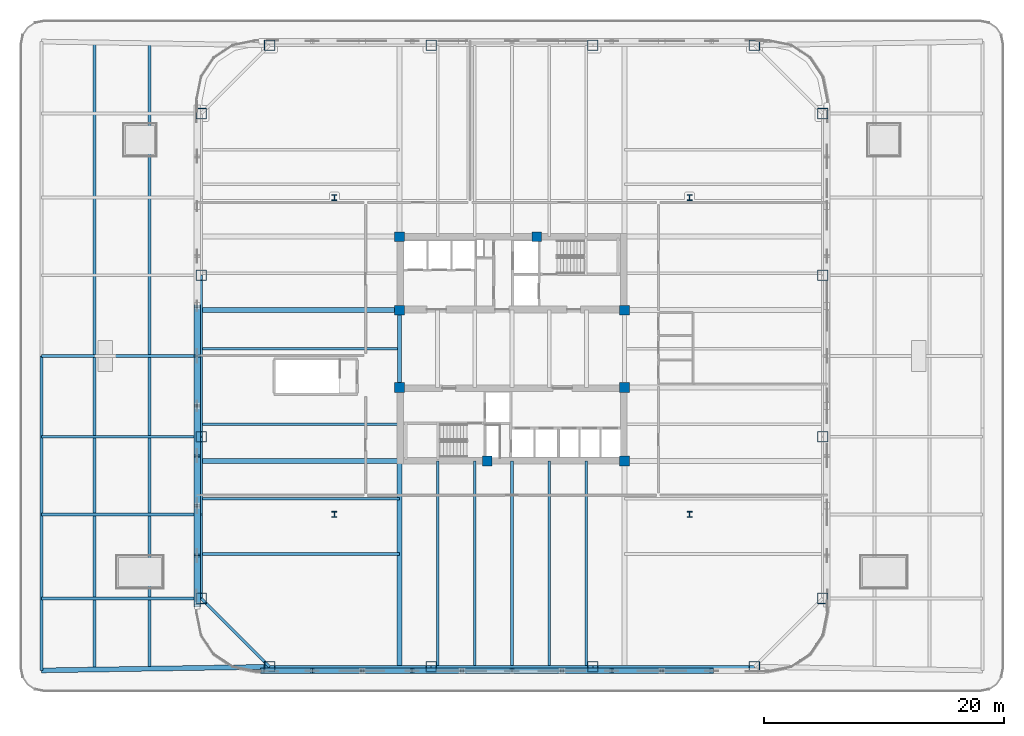
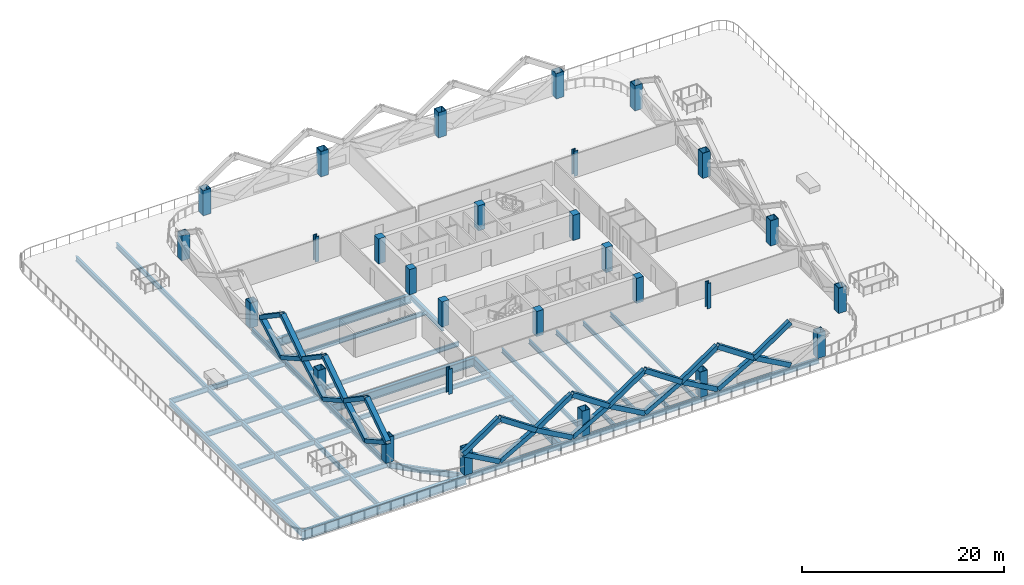
# One storey, part 1 of 17: 30 members, 28 columns, 27 beams.
"""IFC4 building model written with IfcOpenShell, lengths in metres."""

from ifc_helpers import new_model, si_unit, direction, frame, origin, origin_2d, place, context, subcontext, project, spatial, rectangle, hollow_rectangle, i_section, extrude, material, material_profile, profile_set, type_object, element, save


model = new_model("IFC4")

# Units and contexts
model_context = context("Model", 3, precision=1e-05, world=origin(), true_north=direction((0.0, 1.0)))
body_context = subcontext(model_context, "Body", "Model", "MODEL_VIEW")
ifc_project = project(units=[si_unit("LENGTHUNIT", "METRE"), si_unit("AREAUNIT", "SQUARE_METRE"), si_unit("VOLUMEUNIT", "CUBIC_METRE"), si_unit("PLANEANGLEUNIT", "RADIAN"), si_unit("MASSUNIT", "GRAM", prefix="KILO")], contexts=[model_context])

# Site, building, storey
site_placement = place(None, origin())
site = spatial("IfcSite", under=ifc_project, at=site_placement, CompositionType="ELEMENT")
building_placement = place(site_placement, origin())
building = spatial("IfcBuilding", under=site, at=building_placement, Name="Qhalaya Broadcast Tower", CompositionType="ELEMENT")
storey_placement = place(building_placement, frame((0.0, 0.0, 26.10009765625)))
storey = spatial("IfcBuildingStorey", under=building, at=storey_placement, Name="L06", CompositionType="ELEMENT", Elevation=26.10009765625)

# Columns
ifc_material_1 = material(Name="Concrete C50/60", Category="concrete")
ifc_material_profile_1 = material_profile(ifc_material_1, rectangle(XDim=0.800048828125, YDim=0.800048828125, at=origin_2d()), Name="RC-COL 800x800")
ifc_profile_set_1 = profile_set([ifc_material_profile_1], Name="Concrete C50/60")
column_type_1 = type_object("IfcColumnType", Name="RC Upper Column C10", PredefinedType="COLUMN", material=ifc_profile_set_1)
for number, where, z_axis, x_axis, name in (
    (1, (-9.375, 9.949951171875, 0.0), (0.0, 0.0, 1.0), (1.0, 0.0, 0.0), "L06 Column COL-CC1"),
    (2, (2.050048828125, 9.949951171875, 0.0), (0.0, 0.0, 1.0), (1.0, 0.0, 0.0), "L06 Column COL-CC2"),
    (3, (-9.375, 3.824951171875, 0.0), (0.0, 0.0, 1.0), (1.0, 0.0, 0.0), "L06 Column COL-CC3"),
    (4, (9.375, 3.824951171875, 0.0), (0.0, 0.0, 1.0), (1.0, 0.0, 0.0), "L06 Column COL-CC4"),
    (5, (-9.375, -2.625, 0.0), (0.0, 0.0, 1.0), (1.0, 0.0, 0.0), "L06 Column COL-CC5"),
    (6, (9.375, -2.625, 0.0), (0.0, 0.0, 1.0), (1.0, 0.0, 0.0), "L06 Column COL-CC6"),
    (7, (-2.050048828125, -8.75, 0.0), (0.0, 0.0, 1.0), (1.0, 0.0, 0.0), "L06 Column COL-CC7"),
    (8, (9.375, -8.75, 0.0), (0.0, 0.0, 1.0), (1.0, 0.0, 0.0), "L06 Column COL-CC8"),
):
    element("IfcColumn", number, at=place(storey_placement, frame(where, z_axis=z_axis, x_axis=x_axis)), inside=storey, type_object=column_type_1, Name=name, PredefinedType="COLUMN", context=body_context, shape_type="SweptSolid", body=[
        extrude(rectangle(XDim=0.800048828125, YDim=0.800048828125, at=origin_2d()), origin(), (0.0, 0.0, 1.0), 3.0498046875),
    ])
ifc_material_2 = material(Name="Structural Steel ASTM A992 Grade 50", Category="steel")
ifc_material_profile_2 = material_profile(ifc_material_2, i_section(OverallWidth=0.41796875, OverallDepth=0.510009765625, WebThickness=0.0419921875, FlangeThickness=0.067626953125, at=origin_2d()), Name="W14X370")
ifc_profile_set_2 = profile_set([ifc_material_profile_2], Name="Structural Steel ASTM A992 Grade 50")
column_type_2 = type_object("IfcColumnType", Name="Rolled Gravity Column C06", PredefinedType="COLUMN", material=ifc_profile_set_2)
for number, where, z_axis, x_axis, name in (
    (9, (-14.800048828125, -13.199951171875, 0.0), (0.0, 0.0, 1.0), (1.0, 0.0, 0.0), "L06 Column COL-GR1"),
    (10, (14.800048828125, -13.199951171875, 0.0), (0.0, 0.0, 1.0), (1.0, 0.0, 0.0), "L06 Column COL-GR2"),
    (11, (-14.800048828125, 13.199951171875, 0.0), (0.0, 0.0, 1.0), (1.0, 0.0, 0.0), "L06 Column COL-GR3"),
    (12, (14.800048828125, 13.199951171875, 0.0), (0.0, 0.0, 1.0), (1.0, 0.0, 0.0), "L06 Column COL-GR4"),
):
    element("IfcColumn", number, at=place(storey_placement, frame(where, z_axis=z_axis, x_axis=x_axis)), inside=storey, type_object=column_type_2, Name=name, PredefinedType="COLUMN", context=body_context, shape_type="SweptSolid", body=[
        extrude(i_section(OverallWidth=0.41796875, OverallDepth=0.510009765625, WebThickness=0.0419921875, FlangeThickness=0.067626953125, at=origin_2d()), origin(), (0.0, 0.0, 1.0), 3.0498046875),
    ])
ifc_material_3 = material(Name="Structural Steel ASTM A572 Grade 50", Category="steel")
ifc_material_profile_3 = material_profile(ifc_material_3, hollow_rectangle(XDim=0.89990234375, YDim=0.89990234375, WallThickness=0.054931640625, at=origin_2d()), Name="BOX 900x900x55")
ifc_profile_set_3 = profile_set([ifc_material_profile_3], Name="Structural Steel ASTM A572 Grade 50")
column_type_3 = type_object("IfcColumnType", Name="Steel Box Column C02", PredefinedType="COLUMN", material=ifc_profile_set_3)
for number, where, z_axis, x_axis, name in (
    (13, (-20.199951171875, -25.89990234375, 0.0), (0.0, 0.0, 1.0), (1.0, 0.0, 0.0), "L06 Column COL-EX01"),
    (14, (-6.7333984375, -25.89990234375, 0.0), (0.0, 0.0, 1.0), (1.0, 0.0, 0.0), "L06 Column COL-EX02"),
    (15, (6.7333984375, -25.89990234375, 0.0), (0.0, 0.0, 1.0), (1.0, 0.0, 0.0), "L06 Column COL-EX03"),
    (16, (20.199951171875, -25.89990234375, 0.0), (0.0, 0.0, 1.0), (1.0, 0.0, 0.0), "L06 Column COL-EX04"),
    (17, (25.89990234375, -20.199951171875, 0.0), (0.0, 0.0, 1.0), (0.0, 1.0, 0.0), "L06 Column COL-EX05"),
    (18, (25.89990234375, -6.7333984375, 0.0), (0.0, 0.0, 1.0), (0.0, 1.0, 0.0), "L06 Column COL-EX06"),
    (19, (25.89990234375, 6.7333984375, 0.0), (0.0, 0.0, 1.0), (0.0, 1.0, 0.0), "L06 Column COL-EX07"),
    (20, (25.89990234375, 20.199951171875, 0.0), (0.0, 0.0, 1.0), (0.0, 1.0, 0.0), "L06 Column COL-EX08"),
    (21, (20.199951171875, 25.89990234375, 0.0), (0.0, 0.0, 1.0), (1.0, 0.0, 0.0), "L06 Column COL-EX09"),
    (22, (6.7333984375, 25.89990234375, 0.0), (0.0, 0.0, 1.0), (1.0, 0.0, 0.0), "L06 Column COL-EX10"),
    (23, (-6.7333984375, 25.89990234375, 0.0), (0.0, 0.0, 1.0), (1.0, 0.0, 0.0), "L06 Column COL-EX11"),
    (24, (-20.199951171875, 25.89990234375, 0.0), (0.0, 0.0, 1.0), (1.0, 0.0, 0.0), "L06 Column COL-EX12"),
    (25, (-25.89990234375, 20.199951171875, 0.0), (0.0, 0.0, 1.0), (0.0, 1.0, 0.0), "L06 Column COL-EX13"),
    (26, (-25.89990234375, 6.7333984375, 0.0), (0.0, 0.0, 1.0), (0.0, 1.0, 0.0), "L06 Column COL-EX14"),
    (27, (-25.89990234375, -6.7333984375, 0.0), (0.0, 0.0, 1.0), (0.0, 1.0, 0.0), "L06 Column COL-EX15"),
    (28, (-25.89990234375, -20.199951171875, 0.0), (0.0, 0.0, 1.0), (0.0, 1.0, 0.0), "L06 Column COL-EX16"),
):
    element("IfcColumn", number, at=place(storey_placement, frame(where, z_axis=z_axis, x_axis=x_axis)), inside=storey, type_object=column_type_3, Name=name, PredefinedType="COLUMN", context=body_context, shape_type="SweptSolid", body=[
        extrude(hollow_rectangle(XDim=0.89990234375, YDim=0.89990234375, WallThickness=0.054931640625, at=origin_2d()), origin(), (0.0, 0.0, 1.0), 3.0498046875),
    ])

# Beams
ifc_material_profile_4 = material_profile(ifc_material_2, i_section(OverallWidth=0.22802734375, OverallDepth=0.60693359375, WebThickness=0.01123046875, FlangeThickness=0.017333984375, at=origin_2d()), Name="W24X76")
ifc_profile_set_4 = profile_set([ifc_material_profile_4], Name="Structural Steel ASTM A992 Grade 50")
beam_type_1 = type_object("IfcBeamType", Name="Composite Floor Joist J01", PredefinedType="JOIST", material=ifc_profile_set_4)
for number, where, z_axis, x_axis, name in (
    (29, (-39.199951171875, -20.199951171875, -0.523681640625), (1.0, 0.0, 0.0), (0.0, 1.0, 0.0), "L06 J01 L06-PRGW--20.2"),
    (30, (-39.199951171875, -13.199951171875, -0.523681640625), (1.0, 0.0, 0.0), (0.0, 1.0, 0.0), "L06 J01 L06-PRGW--13.2"),
    (31, (-39.199951171875, -6.7333984375, -0.523681640625), (1.0, 0.0, 0.0), (0.0, 1.0, 0.0), "L06 J01 L06-PRGW--6.7"),
    (32, (-39.199951171875, 0.0, -0.523681640625), (1.0, 0.0, 0.0), (0.0, 1.0, 0.0), "L06 J01 L06-PRGW-+0.0"),
):
    element("IfcBeam", number, at=place(storey_placement, frame(where, z_axis=z_axis, x_axis=x_axis)), inside=storey, type_object=beam_type_1, Name=name, PredefinedType="JOIST", context=body_context, shape_type="SweptSolid", body=[
        extrude(i_section(OverallWidth=0.22802734375, OverallDepth=0.60693359375, WebThickness=0.01123046875, FlangeThickness=0.017333984375, at=origin_2d()), origin(), (0.0, 0.0, 1.0), 13.300048828125),
    ])
for number, where, z_axis, x_axis, name in (
    (33, (-34.800048828125, -26.10009765625, -0.523681640625), (0.0, 1.0, 0.0), (-1.0, 0.0, 0.0), "L06 J01 L06-PRJN--34.8"),
    (34, (-30.199951171875, -26.10009765625, -0.523681640625), (0.0, 1.0, 0.0), (-1.0, 0.0, 0.0), "L06 J01 L06-PRJN--30.2"),
):
    element("IfcBeam", number, at=place(storey_placement, frame(where, z_axis=z_axis, x_axis=x_axis)), inside=storey, type_object=beam_type_1, Name=name, PredefinedType="JOIST", context=body_context, shape_type="SweptSolid", body=[
        extrude(i_section(OverallWidth=0.22802734375, OverallDepth=0.60693359375, WebThickness=0.01123046875, FlangeThickness=0.017333984375, at=origin_2d()), origin(), (0.0, 0.0, 1.0), 52.2001953125),
    ])
ifc_material_profile_5 = material_profile(ifc_material_2, i_section(OverallWidth=0.2099609375, OverallDepth=0.535888671875, WebThickness=0.010986328125, FlangeThickness=0.017333984375, at=origin_2d()), Name="W21X68")
ifc_profile_set_5 = profile_set([ifc_material_profile_5], Name="Structural Steel ASTM A992 Grade 50")
beam_type_2 = type_object("IfcBeamType", Name="Composite Floor Joist J02", PredefinedType="JOIST", material=ifc_profile_set_5)
for number, where, z_axis, x_axis, name in (
    (35, (-6.199951171875, -25.8798828125, -0.488037109375), (0.0, 1.0, 0.0), (-1.0, 0.0, 0.0), "L06 J02 L06-JNS1-1"),
    (36, (-3.10009765625, -25.8798828125, -0.488037109375), (0.0, 1.0, 0.0), (-1.0, 0.0, 0.0), "L06 J02 L06-JNS2-1"),
    (37, (0.0, -25.8798828125, -0.488037109375), (0.0, 1.0, 0.0), (-1.0, 0.0, 0.0), "L06 J02 L06-JNS3-1"),
    (38, (3.10009765625, -25.8798828125, -0.488037109375), (0.0, 1.0, 0.0), (-1.0, 0.0, 0.0), "L06 J02 L06-JNS4-1"),
    (39, (6.199951171875, -25.8798828125, -0.488037109375), (0.0, 1.0, 0.0), (-1.0, 0.0, 0.0), "L06 J02 L06-JNS5-1"),
):
    element("IfcBeam", number, at=place(storey_placement, frame(where, z_axis=z_axis, x_axis=x_axis)), inside=storey, type_object=beam_type_2, Name=name, PredefinedType="JOIST", context=body_context, shape_type="SweptSolid", body=[
        extrude(i_section(OverallWidth=0.2099609375, OverallDepth=0.535888671875, WebThickness=0.010986328125, FlangeThickness=0.017333984375, at=origin_2d()), origin(), (0.0, 0.0, 1.0), 17.1298828125),
    ])
for number, where, z_axis, x_axis, name in (
    (40, (-25.8798828125, -16.5, -0.488037109375), (1.0, 0.0, 0.0), (0.0, 1.0, 0.0), "L06 J02 L06-JWE1W-1"),
    (41, (-25.8798828125, -11.89990234375, -0.488037109375), (1.0, 0.0, 0.0), (0.0, 1.0, 0.0), "L06 J02 L06-JWE2W-1"),
    (42, (-25.8798828125, -5.699951171875, -0.488037109375), (1.0, 0.0, 0.0), (0.0, 1.0, 0.0), "L06 J02 L06-JWE3W-1"),
    (43, (-25.8798828125, 0.60009765625, -0.488037109375), (1.0, 0.0, 0.0), (0.0, 1.0, 0.0), "L06 J02 L06-JWE4W-1"),
):
    element("IfcBeam", number, at=place(storey_placement, frame(where, z_axis=z_axis, x_axis=x_axis)), inside=storey, type_object=beam_type_2, Name=name, PredefinedType="JOIST", context=body_context, shape_type="SweptSolid", body=[
        extrude(i_section(OverallWidth=0.2099609375, OverallDepth=0.535888671875, WebThickness=0.010986328125, FlangeThickness=0.017333984375, at=origin_2d()), origin(), (0.0, 0.0, 1.0), 16.5048828125),
    ])
ifc_material_profile_6 = material_profile(ifc_material_2, i_section(OverallWidth=0.323974609375, OverallDepth=0.612060546875, WebThickness=0.0126953125, FlangeThickness=0.01904296875, at=origin_2d()), Name="W24X104")
ifc_profile_set_6 = profile_set([ifc_material_profile_6], Name="Structural Steel ASTM A992 Grade 50")
beam_type_3 = type_object("IfcBeamType", Name="Core Frame Tie Beam B04", PredefinedType="BEAM", material=ifc_profile_set_6)
beam_1_placement = place(storey_placement, frame((-9.375, -2.625, -0.526123046875), z_axis=(0.0, 1.0, 0.0), x_axis=(-1.0, 0.0, 0.0)))
element("IfcBeam", 44, at=beam_1_placement, inside=storey, type_object=beam_type_3, Name="L06 B04 L06-CCW", PredefinedType="BEAM", context=body_context, shape_type="SweptSolid", body=[
    extrude(i_section(OverallWidth=0.323974609375, OverallDepth=0.612060546875, WebThickness=0.0126953125, FlangeThickness=0.01904296875, at=origin_2d()), origin(), (0.0, 0.0, 1.0), 6.449951171875),
])

# Members
ifc_material_profile_7 = material_profile(ifc_material_3, hollow_rectangle(XDim=0.449951171875, YDim=0.550048828125, WallThickness=0.031982421875, at=origin_2d()), Name="BOX 450x550x32")
ifc_profile_set_7 = profile_set([ifc_material_profile_7], Name="Structural Steel ASTM A572 Grade 50")
member_type = type_object("IfcMemberType", Name="Exoskeleton Diamond Diagonal Lower EX1", PredefinedType="BRACE", material=ifc_profile_set_7)
member_1_placement = place(storey_placement, frame((-16.639892578125, -26.239990234375, 0.35986328125), z_axis=(-0.872471089532, 0.0, 0.488665732306), x_axis=(0.0, -1.0, 0.0)))
element("IfcMember", 45, at=member_1_placement, inside=storey, type_object=member_type, Name="B1 Exoskeleton Diamond Brace S1-D1", PredefinedType="BRACE", context=body_context, shape_type="SweptSolid", body=[
    extrude(hollow_rectangle(XDim=0.449951171875, YDim=0.550048828125, WallThickness=0.031982421875, at=origin_2d()), origin(), (0.0, 0.0, 1.0), 4.768310546875),
])
member_2_placement = place(storey_placement, frame((-16.639892578125, -26.239990234375, 0.35986328125), z_axis=(0.872458862126, 0.0, 0.488687562658), x_axis=(0.0, 1.0, 0.0)))
element("IfcMember", 46, at=member_2_placement, inside=storey, type_object=member_type, Name="B1 Exoskeleton Diamond Brace S1-D2", PredefinedType="BRACE", context=body_context, shape_type="SweptSolid", body=[
    extrude(hollow_rectangle(XDim=0.449951171875, YDim=0.550048828125, WallThickness=0.031982421875, at=origin_2d()), origin(), (0.0, 0.0, 1.0), 4.76806640625),
])
member_3_placement = place(storey_placement, frame((-20.800048828125, -26.239990234375, 2.68994140625), z_axis=(0.828668223168, 0.0, 0.559740096752), x_axis=(0.0, 1.0, 0.0)))
element("IfcMember", 47, at=member_3_placement, inside=storey, type_object=member_type, Name="B1 Exoskeleton Diamond Brace S1-D3", PredefinedType="BRACE", context=body_context, shape_type="SweptSolid", body=[
    extrude(hollow_rectangle(XDim=0.449951171875, YDim=0.550048828125, WallThickness=0.031982421875, at=origin_2d()), origin(), (0.0, 0.0, 1.0), 5.020263671875),
])
member_4_placement = place(storey_placement, frame((-12.47998046875, -26.239990234375, 2.68994140625), z_axis=(-0.828652985792, 0.0, 0.559762654291), x_axis=(0.0, -1.0, 0.0)))
element("IfcMember", 48, at=member_4_placement, inside=storey, type_object=member_type, Name="B1 Exoskeleton Diamond Brace S1-D4", PredefinedType="BRACE", context=body_context, shape_type="SweptSolid", body=[
    extrude(hollow_rectangle(XDim=0.449951171875, YDim=0.550048828125, WallThickness=0.031982421875, at=origin_2d()), origin(), (0.0, 0.0, 1.0), 5.02001953125),
])
member_5_placement = place(storey_placement, frame((-8.320068359375, -26.239990234375, 0.35986328125), z_axis=(-0.872458862126, 0.0, 0.488687562658), x_axis=(0.0, -1.0, 0.0)))
element("IfcMember", 49, at=member_5_placement, inside=storey, type_object=member_type, Name="B1 Exoskeleton Diamond Brace S2-D1", PredefinedType="BRACE", context=body_context, shape_type="SweptSolid", body=[
    extrude(hollow_rectangle(XDim=0.449951171875, YDim=0.550048828125, WallThickness=0.031982421875, at=origin_2d()), origin(), (0.0, 0.0, 1.0), 4.76806640625),
])
member_6_placement = place(storey_placement, frame((-8.320068359375, -26.239990234375, 0.35986328125), z_axis=(0.872471089532, 0.0, 0.488665732306), x_axis=(0.0, 1.0, 0.0)))
element("IfcMember", 50, at=member_6_placement, inside=storey, type_object=member_type, Name="B1 Exoskeleton Diamond Brace S2-D2", PredefinedType="BRACE", context=body_context, shape_type="SweptSolid", body=[
    extrude(hollow_rectangle(XDim=0.449951171875, YDim=0.550048828125, WallThickness=0.031982421875, at=origin_2d()), origin(), (0.0, 0.0, 1.0), 4.768310546875),
])
member_7_placement = place(storey_placement, frame((-12.47998046875, -26.239990234375, 2.68994140625), z_axis=(0.828652985792, 0.0, 0.559762654291), x_axis=(0.0, 1.0, 0.0)))
element("IfcMember", 51, at=member_7_placement, inside=storey, type_object=member_type, Name="B1 Exoskeleton Diamond Brace S2-D3", PredefinedType="BRACE", context=body_context, shape_type="SweptSolid", body=[
    extrude(hollow_rectangle(XDim=0.449951171875, YDim=0.550048828125, WallThickness=0.031982421875, at=origin_2d()), origin(), (0.0, 0.0, 1.0), 5.02001953125),
])
member_8_placement = place(storey_placement, frame((-4.159912109375, -26.239990234375, 2.68994140625), z_axis=(-0.828668223168, 0.0, 0.559740096752), x_axis=(0.0, -1.0, 0.0)))
element("IfcMember", 52, at=member_8_placement, inside=storey, type_object=member_type, Name="B1 Exoskeleton Diamond Brace S2-D4", PredefinedType="BRACE", context=body_context, shape_type="SweptSolid", body=[
    extrude(hollow_rectangle(XDim=0.449951171875, YDim=0.550048828125, WallThickness=0.031982421875, at=origin_2d()), origin(), (0.0, 0.0, 1.0), 5.020263671875),
])
for number, where, z_axis, x_axis, name in (
    (53, (0.0, -26.239990234375, 0.35986328125), (-0.872458862126, 0.0, 0.488687562658), (0.0, -1.0, 0.0), "B1 Exoskeleton Diamond Brace S3-D1"),
    (54, (0.0, -26.239990234375, 0.35986328125), (0.872458862126, 0.0, 0.488687562658), (0.0, 1.0, 0.0), "B1 Exoskeleton Diamond Brace S3-D2"),
):
    element("IfcMember", number, at=place(storey_placement, frame(where, z_axis=z_axis, x_axis=x_axis)), inside=storey, type_object=member_type, Name=name, PredefinedType="BRACE", context=body_context, shape_type="SweptSolid", body=[
        extrude(hollow_rectangle(XDim=0.449951171875, YDim=0.550048828125, WallThickness=0.031982421875, at=origin_2d()), origin(), (0.0, 0.0, 1.0), 4.76806640625),
    ])
for number, where, z_axis, x_axis, name in (
    (55, (-4.159912109375, -26.239990234375, 2.68994140625), (0.828652985792, 0.0, 0.559762654291), (0.0, 1.0, 0.0), "B1 Exoskeleton Diamond Brace S3-D3"),
    (56, (4.159912109375, -26.239990234375, 2.68994140625), (-0.828652985792, 0.0, 0.559762654291), (0.0, -1.0, 0.0), "B1 Exoskeleton Diamond Brace S3-D4"),
):
    element("IfcMember", number, at=place(storey_placement, frame(where, z_axis=z_axis, x_axis=x_axis)), inside=storey, type_object=member_type, Name=name, PredefinedType="BRACE", context=body_context, shape_type="SweptSolid", body=[
        extrude(hollow_rectangle(XDim=0.449951171875, YDim=0.550048828125, WallThickness=0.031982421875, at=origin_2d()), origin(), (0.0, 0.0, 1.0), 5.02001953125),
    ])
member_9_placement = place(storey_placement, frame((8.320068359375, -26.239990234375, 0.35986328125), z_axis=(-0.872471089532, 0.0, 0.488665732306), x_axis=(0.0, -1.0, 0.0)))
element("IfcMember", 57, at=member_9_placement, inside=storey, type_object=member_type, Name="B1 Exoskeleton Diamond Brace S4-D1", PredefinedType="BRACE", context=body_context, shape_type="SweptSolid", body=[
    extrude(hollow_rectangle(XDim=0.449951171875, YDim=0.550048828125, WallThickness=0.031982421875, at=origin_2d()), origin(), (0.0, 0.0, 1.0), 4.768310546875),
])
member_10_placement = place(storey_placement, frame((8.320068359375, -26.239990234375, 0.35986328125), z_axis=(0.872458862126, 0.0, 0.488687562658), x_axis=(0.0, 1.0, 0.0)))
element("IfcMember", 58, at=member_10_placement, inside=storey, type_object=member_type, Name="B1 Exoskeleton Diamond Brace S4-D2", PredefinedType="BRACE", context=body_context, shape_type="SweptSolid", body=[
    extrude(hollow_rectangle(XDim=0.449951171875, YDim=0.550048828125, WallThickness=0.031982421875, at=origin_2d()), origin(), (0.0, 0.0, 1.0), 4.76806640625),
])
member_11_placement = place(storey_placement, frame((4.159912109375, -26.239990234375, 2.68994140625), z_axis=(0.828668223168, 0.0, 0.559740096752), x_axis=(0.0, 1.0, 0.0)))
element("IfcMember", 59, at=member_11_placement, inside=storey, type_object=member_type, Name="B1 Exoskeleton Diamond Brace S4-D3", PredefinedType="BRACE", context=body_context, shape_type="SweptSolid", body=[
    extrude(hollow_rectangle(XDim=0.449951171875, YDim=0.550048828125, WallThickness=0.031982421875, at=origin_2d()), origin(), (0.0, 0.0, 1.0), 5.020263671875),
])
member_12_placement = place(storey_placement, frame((12.47998046875, -26.239990234375, 2.68994140625), z_axis=(-0.828652985792, 0.0, 0.559762654291), x_axis=(0.0, -1.0, 0.0)))
element("IfcMember", 60, at=member_12_placement, inside=storey, type_object=member_type, Name="B1 Exoskeleton Diamond Brace S4-D4", PredefinedType="BRACE", context=body_context, shape_type="SweptSolid", body=[
    extrude(hollow_rectangle(XDim=0.449951171875, YDim=0.550048828125, WallThickness=0.031982421875, at=origin_2d()), origin(), (0.0, 0.0, 1.0), 5.02001953125),
])
member_13_placement = place(storey_placement, frame((16.639892578125, -26.239990234375, 0.35986328125), z_axis=(-0.872458862126, 0.0, 0.488687562658), x_axis=(0.0, -1.0, 0.0)))
element("IfcMember", 61, at=member_13_placement, inside=storey, type_object=member_type, Name="B1 Exoskeleton Diamond Brace S5-D1", PredefinedType="BRACE", context=body_context, shape_type="SweptSolid", body=[
    extrude(hollow_rectangle(XDim=0.449951171875, YDim=0.550048828125, WallThickness=0.031982421875, at=origin_2d()), origin(), (0.0, 0.0, 1.0), 4.76806640625),
])
member_14_placement = place(storey_placement, frame((12.47998046875, -26.239990234375, 2.68994140625), z_axis=(0.828652985792, 0.0, 0.559762654291), x_axis=(0.0, 1.0, 0.0)))
element("IfcMember", 62, at=member_14_placement, inside=storey, type_object=member_type, Name="B1 Exoskeleton Diamond Brace S5-D3", PredefinedType="BRACE", context=body_context, shape_type="SweptSolid", body=[
    extrude(hollow_rectangle(XDim=0.449951171875, YDim=0.550048828125, WallThickness=0.031982421875, at=origin_2d()), origin(), (0.0, 0.0, 1.0), 5.02001953125),
])
for number, where, z_axis, x_axis, name in (
    (63, (-26.239990234375, 0.0, 0.35986328125), (0.0, 0.872458862126, 0.488687562658), (0.0, -0.488687562658, 0.872458862126), "B1 Exoskeleton Diamond Brace W3-D1"),
    (64, (-26.239990234375, 0.0, 0.35986328125), (0.0, -0.872458862126, 0.488687562658), (0.0, 0.488687562658, 0.872458862126), "B1 Exoskeleton Diamond Brace W3-D2"),
):
    element("IfcMember", number, at=place(storey_placement, frame(where, z_axis=z_axis, x_axis=x_axis)), inside=storey, type_object=member_type, Name=name, PredefinedType="BRACE", context=body_context, shape_type="SweptSolid", body=[
        extrude(hollow_rectangle(XDim=0.449951171875, YDim=0.550048828125, WallThickness=0.031982421875, at=origin_2d()), origin(), (0.0, 0.0, 1.0), 4.76806640625),
    ])
for number, where, z_axis, x_axis, name in (
    (65, (-26.239990234375, 4.159912109375, 2.68994140625), (0.0, -0.828652985792, 0.559762654291), (0.0, 0.559762654291, 0.828652985792), "B1 Exoskeleton Diamond Brace W3-D3"),
    (66, (-26.239990234375, -4.159912109375, 2.68994140625), (0.0, 0.828652985792, 0.559762654291), (0.0, -0.559762654291, 0.828652985792), "B1 Exoskeleton Diamond Brace W3-D4"),
):
    element("IfcMember", number, at=place(storey_placement, frame(where, z_axis=z_axis, x_axis=x_axis)), inside=storey, type_object=member_type, Name=name, PredefinedType="BRACE", context=body_context, shape_type="SweptSolid", body=[
        extrude(hollow_rectangle(XDim=0.449951171875, YDim=0.550048828125, WallThickness=0.031982421875, at=origin_2d()), origin(), (0.0, 0.0, 1.0), 5.02001953125),
    ])
member_15_placement = place(storey_placement, frame((-26.239990234375, -8.320068359375, 0.35986328125), z_axis=(0.0, 0.872471089532, 0.488665732306), x_axis=(0.0, -0.488665732306, 0.872471089532)))
element("IfcMember", 67, at=member_15_placement, inside=storey, type_object=member_type, Name="B1 Exoskeleton Diamond Brace W4-D1", PredefinedType="BRACE", context=body_context, shape_type="SweptSolid", body=[
    extrude(hollow_rectangle(XDim=0.449951171875, YDim=0.550048828125, WallThickness=0.031982421875, at=origin_2d()), origin(), (0.0, 0.0, 1.0), 4.768310546875),
])
member_16_placement = place(storey_placement, frame((-26.239990234375, -8.320068359375, 0.35986328125), z_axis=(0.0, -0.872458862126, 0.488687562658), x_axis=(0.0, 0.488687562658, 0.872458862126)))
element("IfcMember", 68, at=member_16_placement, inside=storey, type_object=member_type, Name="B1 Exoskeleton Diamond Brace W4-D2", PredefinedType="BRACE", context=body_context, shape_type="SweptSolid", body=[
    extrude(hollow_rectangle(XDim=0.449951171875, YDim=0.550048828125, WallThickness=0.031982421875, at=origin_2d()), origin(), (0.0, 0.0, 1.0), 4.76806640625),
])
member_17_placement = place(storey_placement, frame((-26.239990234375, -4.159912109375, 2.68994140625), z_axis=(0.0, -0.828668223168, 0.559740096752), x_axis=(0.0, 0.559740096752, 0.828668223168)))
element("IfcMember", 69, at=member_17_placement, inside=storey, type_object=member_type, Name="B1 Exoskeleton Diamond Brace W4-D3", PredefinedType="BRACE", context=body_context, shape_type="SweptSolid", body=[
    extrude(hollow_rectangle(XDim=0.449951171875, YDim=0.550048828125, WallThickness=0.031982421875, at=origin_2d()), origin(), (0.0, 0.0, 1.0), 5.020263671875),
])
member_18_placement = place(storey_placement, frame((-26.239990234375, -12.47998046875, 2.68994140625), z_axis=(0.0, 0.828652985792, 0.559762654291), x_axis=(0.0, -0.559762654291, 0.828652985792)))
element("IfcMember", 70, at=member_18_placement, inside=storey, type_object=member_type, Name="B1 Exoskeleton Diamond Brace W4-D4", PredefinedType="BRACE", context=body_context, shape_type="SweptSolid", body=[
    extrude(hollow_rectangle(XDim=0.449951171875, YDim=0.550048828125, WallThickness=0.031982421875, at=origin_2d()), origin(), (0.0, 0.0, 1.0), 5.02001953125),
])
member_19_placement = place(storey_placement, frame((-26.239990234375, -16.639892578125, 0.35986328125), z_axis=(0.0, 0.872458862126, 0.488687562658), x_axis=(0.0, -0.488687562658, 0.872458862126)))
element("IfcMember", 71, at=member_19_placement, inside=storey, type_object=member_type, Name="B1 Exoskeleton Diamond Brace W5-D1", PredefinedType="BRACE", context=body_context, shape_type="SweptSolid", body=[
    extrude(hollow_rectangle(XDim=0.449951171875, YDim=0.550048828125, WallThickness=0.031982421875, at=origin_2d()), origin(), (0.0, 0.0, 1.0), 4.76806640625),
])
member_20_placement = place(storey_placement, frame((-26.239990234375, -16.639892578125, 0.35986328125), z_axis=(0.0, -0.872471089532, 0.488665732306), x_axis=(0.0, 0.488665732306, 0.872471089532)))
element("IfcMember", 72, at=member_20_placement, inside=storey, type_object=member_type, Name="B1 Exoskeleton Diamond Brace W5-D2", PredefinedType="BRACE", context=body_context, shape_type="SweptSolid", body=[
    extrude(hollow_rectangle(XDim=0.449951171875, YDim=0.550048828125, WallThickness=0.031982421875, at=origin_2d()), origin(), (0.0, 0.0, 1.0), 4.768310546875),
])
member_21_placement = place(storey_placement, frame((-26.239990234375, -12.47998046875, 2.68994140625), z_axis=(0.0, -0.828652985792, 0.559762654291), x_axis=(0.0, 0.559762654291, 0.828652985792)))
element("IfcMember", 73, at=member_21_placement, inside=storey, type_object=member_type, Name="B1 Exoskeleton Diamond Brace W5-D3", PredefinedType="BRACE", context=body_context, shape_type="SweptSolid", body=[
    extrude(hollow_rectangle(XDim=0.449951171875, YDim=0.550048828125, WallThickness=0.031982421875, at=origin_2d()), origin(), (0.0, 0.0, 1.0), 5.02001953125),
])
member_22_placement = place(storey_placement, frame((-26.239990234375, -20.800048828125, 2.68994140625), z_axis=(0.0, 0.828668223168, 0.559740096752), x_axis=(0.0, -0.559740096752, 0.828668223168)))
element("IfcMember", 74, at=member_22_placement, inside=storey, type_object=member_type, Name="B1 Exoskeleton Diamond Brace W5-D4", PredefinedType="BRACE", context=body_context, shape_type="SweptSolid", body=[
    extrude(hollow_rectangle(XDim=0.449951171875, YDim=0.550048828125, WallThickness=0.031982421875, at=origin_2d()), origin(), (0.0, 0.0, 1.0), 5.020263671875),
])

# Beams
ifc_material_profile_8 = material_profile(ifc_material_2, i_section(OverallWidth=0.40087890625, OverallDepth=1.010986328125, WebThickness=0.023681640625, FlangeThickness=0.0419921875, at=origin_2d()), Name="W40X297")
ifc_profile_set_8 = profile_set([ifc_material_profile_8], Name="Structural Steel ASTM A992 Grade 50")
beam_type_4 = type_object("IfcBeamType", Name="Lower Block Primary Girder PG2", PredefinedType="USERDEFINED", material=ifc_profile_set_8)
beam_2_placement = place(storey_placement, frame((-9.375, -25.8798828125, -0.7255859375), z_axis=(0.0, 1.0, 0.0), x_axis=(-1.0, 0.0, 0.0)))
element("IfcBeam", 75, at=beam_2_placement, inside=storey, type_object=beam_type_4, Name="L06 PG2 L06-PGXS1-1", ObjectType="GIRDER", PredefinedType="USERDEFINED", context=body_context, shape_type="SweptSolid", body=[
    extrude(i_section(OverallWidth=0.40087890625, OverallDepth=1.010986328125, WebThickness=0.023681640625, FlangeThickness=0.0419921875, at=origin_2d()), origin(), (0.0, 0.0, 1.0), 17.1298828125),
])
for number, where, z_axis, x_axis, name in (
    (76, (-25.8798828125, -8.75, -0.7255859375), (1.0, 0.0, 0.0), (0.0, 1.0, 0.0), "L06 PG2 L06-PGYW1-1"),
    (77, (-25.8798828125, 3.824951171875, -0.7255859375), (1.0, 0.0, 0.0), (0.0, 1.0, 0.0), "L06 PG2 L06-PGYW3-1"),
):
    element("IfcBeam", number, at=place(storey_placement, frame(where, z_axis=z_axis, x_axis=x_axis)), inside=storey, type_object=beam_type_4, Name=name, ObjectType="GIRDER", PredefinedType="USERDEFINED", context=body_context, shape_type="SweptSolid", body=[
        extrude(i_section(OverallWidth=0.40087890625, OverallDepth=1.010986328125, WebThickness=0.023681640625, FlangeThickness=0.0419921875, at=origin_2d()), origin(), (0.0, 0.0, 1.0), 16.5048828125),
    ])
ifc_material_profile_9 = material_profile(ifc_material_2, i_section(OverallWidth=0.25390625, OverallDepth=0.68310546875, WebThickness=0.012451171875, FlangeThickness=0.01904296875, at=origin_2d()), Name="W27X94")
ifc_profile_set_9 = profile_set([ifc_material_profile_9], Name="Structural Steel ASTM A992 Grade 50")
beam_type_5 = type_object("IfcBeamType", Name="Perimeter Ring Spandrel Beam SP1", PredefinedType="SPANDREL", material=ifc_profile_set_9)
beam_3_placement = place(storey_placement, frame((-20.199951171875, -25.89990234375, -0.5615234375), z_axis=(1.0, 0.0, 0.0), x_axis=(0.0, 1.0, 0.0)))
element("IfcBeam", 78, at=beam_3_placement, inside=storey, type_object=beam_type_5, Name="L06 SP1 L06-SPR-01", PredefinedType="SPANDREL", context=body_context, shape_type="SweptSolid", body=[
    extrude(i_section(OverallWidth=0.25390625, OverallDepth=0.68310546875, WebThickness=0.012451171875, FlangeThickness=0.01904296875, at=origin_2d()), origin(), (0.0, 0.0, 1.0), 13.466552734375),
])
beam_4_placement = place(storey_placement, frame((-6.7333984375, -25.89990234375, -0.5615234375), z_axis=(1.0, 0.0, 0.0), x_axis=(0.0, 1.0, 0.0)))
element("IfcBeam", 79, at=beam_4_placement, inside=storey, type_object=beam_type_5, Name="L06 SP1 L06-SPR-02", PredefinedType="SPANDREL", context=body_context, shape_type="SweptSolid", body=[
    extrude(i_section(OverallWidth=0.25390625, OverallDepth=0.68310546875, WebThickness=0.012451171875, FlangeThickness=0.01904296875, at=origin_2d()), origin(), (0.0, 0.0, 1.0), 13.466796875),
])
beam_5_placement = place(storey_placement, frame((6.7333984375, -25.89990234375, -0.5615234375), z_axis=(1.0, 0.0, 0.0), x_axis=(0.0, 1.0, 0.0)))
element("IfcBeam", 80, at=beam_5_placement, inside=storey, type_object=beam_type_5, Name="L06 SP1 L06-SPR-03", PredefinedType="SPANDREL", context=body_context, shape_type="SweptSolid", body=[
    extrude(i_section(OverallWidth=0.25390625, OverallDepth=0.68310546875, WebThickness=0.012451171875, FlangeThickness=0.01904296875, at=origin_2d()), origin(), (0.0, 0.0, 1.0), 13.466552734375),
])
beam_6_placement = place(storey_placement, frame((-25.89990234375, 6.7333984375, -0.5615234375), z_axis=(0.0, -1.0, 0.0), x_axis=(1.0, 0.0, 0.0)))
element("IfcBeam", 81, at=beam_6_placement, inside=storey, type_object=beam_type_5, Name="L06 SP1 L06-SPR-14", PredefinedType="SPANDREL", context=body_context, shape_type="SweptSolid", body=[
    extrude(i_section(OverallWidth=0.25390625, OverallDepth=0.68310546875, WebThickness=0.012451171875, FlangeThickness=0.01904296875, at=origin_2d()), origin(), (0.0, 0.0, 1.0), 13.466796875),
])
beam_7_placement = place(storey_placement, frame((-25.89990234375, -6.7333984375, -0.5615234375), z_axis=(0.0, -1.0, 0.0), x_axis=(1.0, 0.0, 0.0)))
element("IfcBeam", 82, at=beam_7_placement, inside=storey, type_object=beam_type_5, Name="L06 SP1 L06-SPR-15", PredefinedType="SPANDREL", context=body_context, shape_type="SweptSolid", body=[
    extrude(i_section(OverallWidth=0.25390625, OverallDepth=0.68310546875, WebThickness=0.012451171875, FlangeThickness=0.01904296875, at=origin_2d()), origin(), (0.0, 0.0, 1.0), 13.466552734375),
])
beam_8_placement = place(storey_placement, frame((-25.89990234375, -20.199951171875, -0.5615234375), z_axis=(0.707106781187, -0.707106781187, 0.0), x_axis=(0.707106781187, 0.707106781187, 0.0)))
element("IfcBeam", 83, at=beam_8_placement, inside=storey, type_object=beam_type_5, Name="L06 SP1 L06-SPR-16", PredefinedType="SPANDREL", context=body_context, shape_type="SweptSolid", body=[
    extrude(i_section(OverallWidth=0.25390625, OverallDepth=0.68310546875, WebThickness=0.012451171875, FlangeThickness=0.01904296875, at=origin_2d()), origin(), (0.0, 0.0, 1.0), 8.06103515625),
])
beam_9_placement = place(storey_placement, frame((-39.199951171875, -26.199951171875, -0.5615234375), z_axis=(0.0, 1.0, 0.0), x_axis=(-1.0, 0.0, 0.0)))
element("IfcBeam", 84, at=beam_9_placement, inside=storey, type_object=beam_type_5, Name="L06 SP1 L06-PRG-WW1", PredefinedType="SPANDREL", context=body_context, shape_type="SweptSolid", body=[
    extrude(i_section(OverallWidth=0.25390625, OverallDepth=0.68310546875, WebThickness=0.012451171875, FlangeThickness=0.01904296875, at=origin_2d()), origin(), (0.0, 0.0, 1.0), 26.199951171875),
])
ifc_material_profile_10 = material_profile(ifc_material_2, i_section(OverallWidth=0.404052734375, OverallDepth=1.117919921875, WebThickness=0.026123046875, FlangeThickness=0.044921875, at=origin_2d()), Name="W44X335")
ifc_profile_set_10 = profile_set([ifc_material_profile_10], Name="Structural Steel ASTM A992 Grade 50")
beam_type_6 = type_object("IfcBeamType", Name="Podium Long-Span Primary Girder PG1", PredefinedType="USERDEFINED", material=ifc_profile_set_10)
beam_10_placement = place(storey_placement, frame((-39.199951171875, -26.199951171875, -0.779052734375), z_axis=(0.999875328998, 0.015790074776, 0.0), x_axis=(-0.015790074776, 0.999875328998, 0.0)))
element("IfcBeam", 85, at=beam_10_placement, inside=storey, type_object=beam_type_6, Name="L06 PG1 L06-PRG-WS", ObjectType="GIRDER", PredefinedType="USERDEFINED", context=body_context, shape_type="SweptSolid", body=[
    extrude(i_section(OverallWidth=0.404052734375, OverallDepth=1.117919921875, WebThickness=0.026123046875, FlangeThickness=0.044921875, at=origin_2d()), origin(), (0.0, 0.0, 1.0), 19.00244140625),
])

save(model, "model.ifc")
